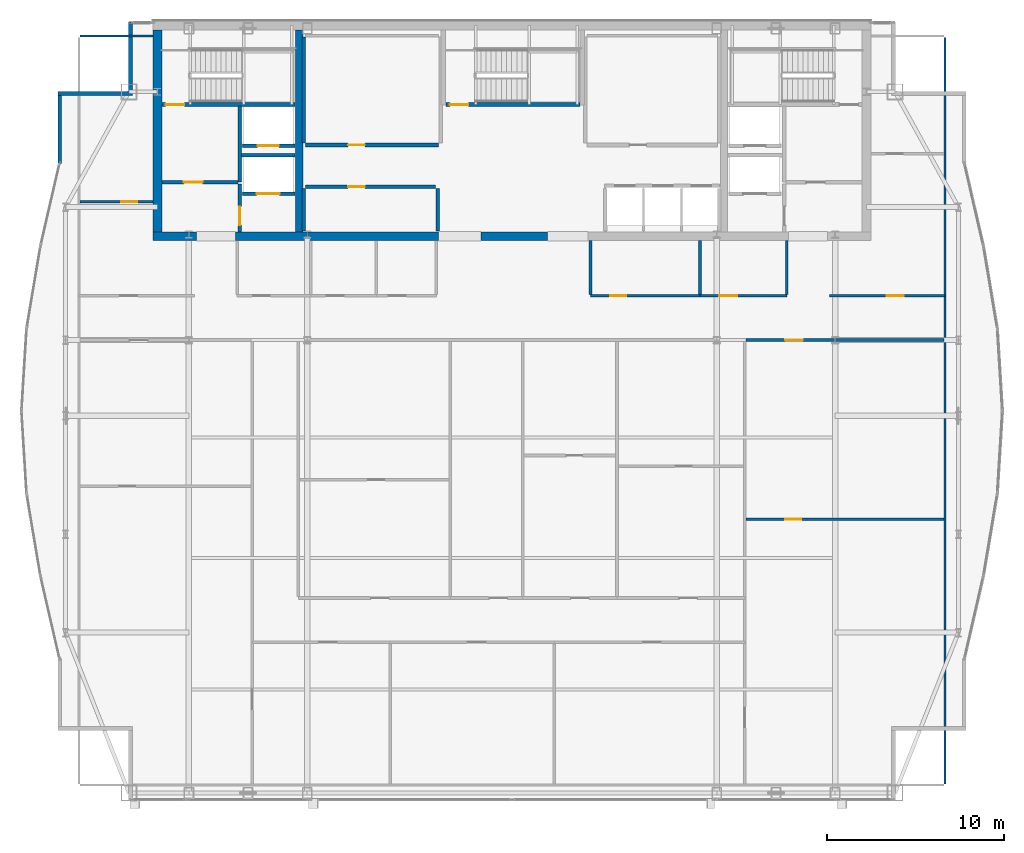
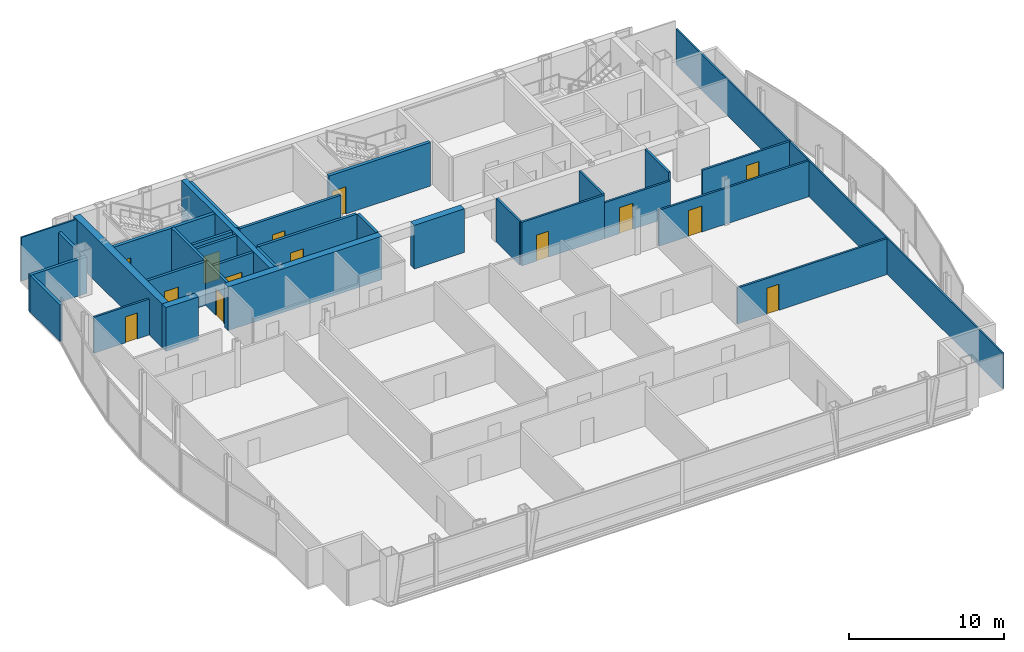
# One storey, part 25 of 29: 32 walls, 14 doors, 14 openings.
"""IFC4 building model written with IfcOpenShell, lengths in metres."""

from ifc_helpers import new_model, si_unit, direction, frame, frame_2d, origin, place, context, subcontext, project, spatial, rectangle, extrude, material, layer, layer_set, type_object, element, fill, save


model = new_model("IFC4")

# Units and contexts
model_context = context("Model", 3, precision=1e-05, world=origin(), true_north=direction((0.0, 1.0)))
body_context = subcontext(model_context, "Body", "Model", "MODEL_VIEW")
ifc_project = project(units=[si_unit("LENGTHUNIT", "METRE"), si_unit("AREAUNIT", "SQUARE_METRE"), si_unit("VOLUMEUNIT", "CUBIC_METRE"), si_unit("PLANEANGLEUNIT", "RADIAN"), si_unit("MASSUNIT", "GRAM", prefix="KILO")], contexts=[model_context])

# Site, building, storey
site_placement = place(None, origin())
site = spatial("IfcSite", under=ifc_project, at=site_placement, CompositionType="ELEMENT")
building_placement = place(site_placement, origin())
building = spatial("IfcBuilding", under=site, at=building_placement, Name="Khoronbel Lancet Exchange", CompositionType="ELEMENT")
storey_placement = place(building_placement, frame((0.0, 0.0, 321.800048828125)))
storey = spatial("IfcBuildingStorey", under=building, at=storey_placement, Name="L83", CompositionType="ELEMENT", Elevation=321.800048828125)

# Walls
ifc_material_1 = material(Name="Concrete C60/75", Category="concrete")
ifc_layer_1 = layer(ifc_material_1, 0.5, Name="Concrete C60/75")
ifc_layer_set_1 = layer_set([ifc_layer_1], Name="Concrete C60/75")
wall_type_1 = type_object("IfcWallType", Name="WL-CW4", PredefinedType="SHEAR", material=ifc_layer_set_1)
wall_1_placement = place(storey_placement, frame((16.449951171875, 41.800048828125, 0.0), z_axis=(0.0, 0.0, 1.0), x_axis=(0.0, 1.0, 0.0)))
element("IfcWall", 1, at=wall_1_placement, inside=storey, type_object=wall_type_1, Name="Level L83 rear core west shear wall", PredefinedType="SHEAR", context=body_context, shape_type="SweptSolid", body=[
    extrude(rectangle(XDim=11.39990234375, YDim=0.5, at=frame_2d((5.699951171875, 0.0))), origin(), (0.0, 0.0, 1.0), 3.43994140625),
])
wall_2_placement = place(storey_placement, frame((18.64990234375, 41.550048828125, 0.0), z_axis=(0.0, 0.0, 1.0), x_axis=(-1.0, 0.0, 0.0)))
element("IfcWall", 2, at=wall_2_placement, inside=storey, type_object=wall_type_1, Name="Level L83 rear core south shear wall pier P1", PredefinedType="SHEAR", context=body_context, shape_type="SweptSolid", body=[
    extrude(rectangle(XDim=2.449951171875, YDim=0.5, at=frame_2d((1.22509765625, 0.0))), origin(), (0.0, 0.0, 1.0), 3.43994140625),
])
wall_3_placement = place(storey_placement, frame((32.300048828125, 41.550048828125, 0.0), z_axis=(0.0, 0.0, 1.0), x_axis=(-1.0, 0.0, 0.0)))
element("IfcWall", 3, at=wall_3_placement, inside=storey, type_object=wall_type_1, Name="Level L83 rear core south shear wall pier P2", PredefinedType="SHEAR", context=body_context, shape_type="SweptSolid", body=[
    extrude(rectangle(XDim=11.449951171875, YDim=0.5, at=frame_2d((5.72509765625, 0.0))), origin(), (0.0, 0.0, 1.0), 3.43994140625),
])
wall_4_placement = place(storey_placement, frame((38.449951171875, 41.550048828125, 0.0), z_axis=(0.0, 0.0, 1.0), x_axis=(-1.0, 0.0, 0.0)))
element("IfcWall", 4, at=wall_4_placement, inside=storey, type_object=wall_type_1, Name="Level L83 rear core south shear wall pier P3", PredefinedType="SHEAR", context=body_context, shape_type="SweptSolid", body=[
    extrude(rectangle(XDim=3.75, YDim=0.5, at=frame_2d((1.875, 0.0))), origin(), (0.0, 0.0, 1.0), 3.43994140625),
])
ifc_material_2 = material(Name="Precast concrete C40/50", Category="concrete")
ifc_layer_2 = layer(ifc_material_2, 0.25, Name="Precast concrete C40/50")
ifc_layer_set_2 = layer_set([ifc_layer_2], Name="Precast concrete C40/50")
wall_type_2 = type_object("IfcWallType", Name="WL-EXT250", PredefinedType="SOLIDWALL", material=ifc_layer_set_2)
wall_5_placement = place(storey_placement, frame((10.93994140625, 45.669921875, 0.0), z_axis=(0.0, 0.0, 1.0), x_axis=(0.0, 1.0, 0.0)))
element("IfcWall", 5, at=wall_5_placement, inside=storey, type_object=wall_type_2, Name="Level L83 notched-corner limestone pier 10", PredefinedType="SOLIDWALL", context=body_context, shape_type="SweptSolid", body=[
    extrude(rectangle(XDim=3.830078125, YDim=0.219970703125, at=frame_2d((1.9150390625, 0.0))), origin(), (0.0, 0.0, 1.0), 2.8798828125),
])
wall_6_placement = place(storey_placement, frame((10.830078125, 49.610107421875, 0.0), z_axis=(0.0, 0.0, 1.0), x_axis=(1.0, 0.0, 0.0)))
element("IfcWall", 6, at=wall_6_placement, inside=storey, type_object=wall_type_2, Name="Level L83 notched-corner limestone pier 11", PredefinedType="SOLIDWALL", context=body_context, shape_type="SweptSolid", body=[
    extrude(rectangle(XDim=4.219970703125, YDim=0.219970703125, at=frame_2d((2.10986328125, 0.0))), origin(), (0.0, 0.0, 1.0), 2.8798828125),
])
wall_7_placement = place(storey_placement, frame((14.93994140625, 49.719970703125, 0.0), z_axis=(0.0, 0.0, 1.0), x_axis=(0.0, 1.0, 0.0)))
element("IfcWall", 7, at=wall_7_placement, inside=storey, type_object=wall_type_2, Name="Level L83 notched-corner limestone pier 12", PredefinedType="SOLIDWALL", context=body_context, shape_type="SweptSolid", body=[
    extrude(rectangle(XDim=3.909912109375, YDim=0.219970703125, at=frame_2d((1.955078125, 0.0))), origin(), (0.0, 0.0, 1.0), 2.8798828125),
])
ifc_material_3 = material(Name="Acoustic Metal-Stud & Mineral-Wool Gypsum Partition 120 mm", Category="gypsum")
ifc_layer_3 = layer(ifc_material_3, 0.1201171875, Name="Acoustic Metal-Stud & Mineral-Wool Gypsum Partition 120 mm")
ifc_layer_set_3 = layer_set([ifc_layer_3], Name="Acoustic Metal-Stud & Mineral-Wool Gypsum Partition 120 mm")
wall_type_3 = type_object("IfcWallType", Name="WL-PRT120", PredefinedType="PARTITIONING", material=ifc_layer_set_3)
for number, where, z_axis, x_axis, name in (
    (8, (40.8798828125, 38.280029296875, 0.0), (0.0, 0.0, 1.0), (0.0, 1.0, 0.0), "Level L83 interior partition PW-NP-0"),
    (9, (47.050048828125, 38.280029296875, 0.0), (0.0, 0.0, 1.0), (0.0, 1.0, 0.0), "Level L83 interior partition PW-NP-M"),
    (10, (51.949951171875, 38.280029296875, 0.0), (0.0, 0.0, 1.0), (0.0, 1.0, 0.0), "Level L83 interior partition PW-NP-1"),
):
    element("IfcWall", number, at=place(storey_placement, frame(where, z_axis=z_axis, x_axis=x_axis)), inside=storey, type_object=wall_type_3, Name=name, PredefinedType="PARTITIONING", context=body_context, shape_type="SweptSolid", body=[
        extrude(rectangle(XDim=3.02001953125, YDim=0.14990234375, at=frame_2d((1.510009765625, 0.0))), origin(), (0.0, 0.0, 1.0), 3.43994140625),
    ])

# Wall, opening, door
wall_8_placement = place(storey_placement, frame((12.094970703125, 43.5, 0.0), z_axis=(0.0, 0.0, 1.0), x_axis=(1.0, 0.0, 0.0)))
wall_8 = element("IfcWall", 11, at=wall_8_placement, inside=storey, type_object=wall_type_3, Name="Level L83 interior partition PW-NW-H", PredefinedType="PARTITIONING", context=body_context, shape_type="SweptSolid", body=[
    extrude(rectangle(XDim=4.10498046875, YDim=0.14990234375, at=frame_2d((2.052490234375, 0.0))), origin(), (0.0, 0.0, 1.0), 2.829833984375),
])
opening_1_placement = place(wall_8_placement, frame((2.320068359375, 0.0, 0.0)))
opening_1 = element("IfcOpeningElement", 12, at=opening_1_placement, cuts=wall_8, Name="Opening D5", PredefinedType="OPENING", context=body_context, shape_type="SweptSolid", body=[
    extrude(rectangle(XDim=0.89990234375, YDim=2.050048828125, at=frame_2d((0.449951171875, 1.02490234375))), frame((0.0, 0.0849609375, 0.0), z_axis=(0.0, -1.0, 0.0), x_axis=(1.0, 0.0, 0.0)), (0.0, 0.0, 1.0), 0.169921875),
])
ifc_material_4 = material(Name="Acoustic Timber Pantry & Support Door", Category="wood")
door_type_1 = type_object("IfcDoorType", Name="DR-D5", OperationType="NOTDEFINED", PredefinedType="DOOR", material=ifc_material_4)
door_1_placement = place(opening_1_placement, origin())
door_1 = element("IfcDoor", 13, at=door_1_placement, inside=storey, type_object=door_type_1, Name="NW north room door L83-1", OperationType="SINGLE_SWING_LEFT", OverallHeight=2.050048828125, OverallWidth=0.89990234375, PredefinedType="DOOR", context=body_context, shape_type="SweptSolid", body=[
    extrude(rectangle(XDim=0.89990234375, YDim=2.050048828125, at=frame_2d((0.449951171875, 1.02490234375))), frame((0.0, 0.02490234375, 0.0), z_axis=(0.0, -1.0, 0.0), x_axis=(1.0, 0.0, 0.0)), (0.0, 0.0, 1.0), 0.050048828125),
])
fill(opening_1, door_1)

wall_9_placement = place(storey_placement, frame((49.659912109375, 25.60009765625, 0.0), z_axis=(0.0, 0.0, 1.0), x_axis=(1.0, 0.0, 0.0)))
wall_9 = element("IfcWall", 14, at=wall_9_placement, inside=storey, type_object=wall_type_3, Name="Level L83 interior partition PW-Z4-EH", PredefinedType="PARTITIONING", context=body_context, shape_type="SweptSolid", body=[
    extrude(rectangle(XDim=11.14501953125, YDim=0.14990234375, at=frame_2d((5.572509765625, 0.0))), origin(), (0.0, 0.0, 1.0), 2.829833984375),
])
opening_2_placement = place(wall_9_placement, frame((2.199951171875, 0.0, 0.0)))
opening_2 = element("IfcOpeningElement", 15, at=opening_2_placement, cuts=wall_9, Name="Opening D5", PredefinedType="OPENING", context=body_context, shape_type="SweptSolid", body=[
    extrude(rectangle(XDim=0.89990234375, YDim=2.050048828125, at=frame_2d((0.449951171875, 1.02490234375))), frame((0.0, 0.0849609375, 0.0), z_axis=(0.0, -1.0, 0.0), x_axis=(1.0, 0.0, 0.0)), (0.0, 0.0, 1.0), 0.169921875),
])
door_2_placement = place(opening_2_placement, origin())
door_2 = element("IfcDoor", 16, at=door_2_placement, inside=storey, type_object=door_type_1, Name="East lens inner door L83-1", OperationType="SINGLE_SWING_RIGHT", OverallHeight=2.050048828125, OverallWidth=0.89990234375, PredefinedType="DOOR", context=body_context, shape_type="SweptSolid", body=[
    extrude(rectangle(XDim=0.89990234375, YDim=2.050048828125, at=frame_2d((0.449951171875, 1.02490234375))), frame((0.0, 0.02490234375, 0.0), z_axis=(0.0, -1.0, 0.0), x_axis=(1.0, 0.0, 0.0)), (0.0, 0.0, 1.0), 0.050048828125),
])
fill(opening_2, door_2)

# Walls
wall_10_placement = place(storey_placement, frame((60.8701171875, 10.6650390625, 0.0), z_axis=(0.0, 0.0, 1.0), x_axis=(0.0, 1.0, 0.0)))
element("IfcWall", 17, at=wall_10_placement, inside=storey, type_object=wall_type_3, Name="Level L83 interior partition PW-LIN-E", PredefinedType="PARTITIONING", context=body_context, shape_type="SweptSolid", body=[
    extrude(rectangle(XDim=42.10986328125, YDim=0.1201171875, at=frame_2d((21.054931640625, 0.0))), origin(), (0.0, 0.0, 1.0), 2.829833984375),
])
wall_11_placement = place(storey_placement, frame((12.094970703125, 52.840087890625, 0.0), z_axis=(0.0, 0.0, 1.0), x_axis=(1.0, 0.0, 0.0)))
element("IfcWall", 18, at=wall_11_placement, inside=storey, type_object=wall_type_3, Name="Level L83 interior partition PW-LIN-NW", PredefinedType="PARTITIONING", context=body_context, shape_type="SweptSolid", body=[
    extrude(rectangle(XDim=4.10498046875, YDim=0.1201171875, at=frame_2d((2.052490234375, 0.0))), origin(), (0.0, 0.0, 1.0), 3.43994140625),
])

# Wall, opening, door
ifc_material_5 = material(Name="Fire-Rated Twin-Stud Acoustic Gypsum Partition 150 mm", Category="gypsum")
ifc_layer_4 = layer(ifc_material_5, 0.14990234375, Name="Fire-Rated Twin-Stud Acoustic Gypsum Partition 150 mm")
ifc_layer_set_4 = layer_set([ifc_layer_4], Name="Fire-Rated Twin-Stud Acoustic Gypsum Partition 150 mm")
wall_type_4 = type_object("IfcWallType", Name="WL-PRT150C", PredefinedType="PARTITIONING", material=ifc_layer_set_4)
wall_12_placement = place(storey_placement, frame((40.8798828125, 38.199951171875, 0.0), z_axis=(0.0, 0.0, 1.0), x_axis=(1.0, 0.0, 0.0)))
wall_12 = element("IfcWall", 19, at=wall_12_placement, inside=storey, type_object=wall_type_4, Name="Level L83 interior partition PW-NP-S1", PredefinedType="PARTITIONING", context=body_context, shape_type="SweptSolid", body=[
    extrude(rectangle(XDim=6.170166015625, YDim=0.14990234375, at=frame_2d((3.0849609375, 0.0))), origin(), (0.0, 0.0, 1.0), 3.43994140625),
])
opening_3_placement = place(wall_12_placement, frame((1.10009765625, 0.0, 0.0)))
opening_3 = element("IfcOpeningElement", 20, at=opening_3_placement, cuts=wall_12, Name="Opening D5", PredefinedType="OPENING", context=body_context, shape_type="SweptSolid", body=[
    extrude(rectangle(XDim=0.89990234375, YDim=2.050048828125, at=frame_2d((0.449951171875, 1.02490234375))), frame((0.0, 0.0849609375, 0.0), z_axis=(0.0, -1.0, 0.0), x_axis=(1.0, 0.0, 0.0)), (0.0, 0.0, 1.0), 0.169921875),
])
door_3_placement = place(opening_3_placement, origin())
door_3 = element("IfcDoor", 21, at=door_3_placement, inside=storey, type_object=door_type_1, Name="Floor refreshment pantry door L83-1", OperationType="SINGLE_SWING_LEFT", OverallHeight=2.050048828125, OverallWidth=0.89990234375, PredefinedType="DOOR", context=body_context, shape_type="SweptSolid", body=[
    extrude(rectangle(XDim=0.89990234375, YDim=2.050048828125, at=frame_2d((0.449951171875, 1.02490234375))), frame((0.0, 0.02490234375, 0.0), z_axis=(0.0, -1.0, 0.0), x_axis=(1.0, 0.0, 0.0)), (0.0, 0.0, 1.0), 0.050048828125),
])
fill(opening_3, door_3)

wall_13_placement = place(storey_placement, frame((47.050048828125, 38.199951171875, 0.0), z_axis=(0.0, 0.0, 1.0), x_axis=(1.0, 0.0, 0.0)))
wall_13 = element("IfcWall", 22, at=wall_13_placement, inside=storey, type_object=wall_type_4, Name="Level L83 interior partition PW-NP-S2", PredefinedType="PARTITIONING", context=body_context, shape_type="SweptSolid", body=[
    extrude(rectangle(XDim=4.89990234375, YDim=0.14990234375, at=frame_2d((2.449951171875, 0.0))), origin(), (0.0, 0.0, 1.0), 2.829833984375),
])
opening_4_placement = place(wall_13_placement, frame((1.10009765625, 0.0, 0.0)))
opening_4 = element("IfcOpeningElement", 23, at=opening_4_placement, cuts=wall_13, Name="Opening D2", PredefinedType="OPENING", context=body_context, shape_type="SweptSolid", body=[
    extrude(rectangle(XDim=1.0, YDim=2.050048828125, at=frame_2d((0.5, 1.02490234375))), frame((0.0, 0.0849609375, 0.0), z_axis=(0.0, -1.0, 0.0), x_axis=(1.0, 0.0, 0.0)), (0.0, 0.0, 1.0), 0.169921875),
])
ifc_material_6 = material(Name="Acoustic Veneered Timber & Bronze Frame Door", Category="wood")
door_type_2 = type_object("IfcDoorType", Name="DR-D2", OperationType="NOTDEFINED", PredefinedType="DOOR", material=ifc_material_6)
door_4_placement = place(opening_4_placement, origin())
door_4 = element("IfcDoor", 24, at=door_4_placement, inside=storey, type_object=door_type_2, Name="Floor store door L83-1", OperationType="SINGLE_SWING_RIGHT", OverallHeight=2.050048828125, OverallWidth=1.0, PredefinedType="DOOR", context=body_context, shape_type="SweptSolid", body=[
    extrude(rectangle(XDim=1.0, YDim=2.050048828125, at=frame_2d((0.5, 1.02490234375))), frame((0.0, 0.02490234375, 0.0), z_axis=(0.0, -1.0, 0.0), x_axis=(1.0, 0.0, 0.0)), (0.0, 0.0, 1.0), 0.050048828125),
])
fill(opening_4, door_4)

wall_14_placement = place(storey_placement, frame((54.35009765625, 38.199951171875, 0.0), z_axis=(0.0, 0.0, 1.0), x_axis=(1.0, 0.0, 0.0)))
wall_14 = element("IfcWall", 25, at=wall_14_placement, inside=storey, type_object=wall_type_4, Name="Level L83 interior partition PW-NE-S", PredefinedType="PARTITIONING", context=body_context, shape_type="SweptSolid", body=[
    extrude(rectangle(XDim=6.52001953125, YDim=0.14990234375, at=frame_2d((3.260009765625, 0.0))), origin(), (0.0, 0.0, 1.0), 2.829833984375),
])
opening_5_placement = place(wall_14_placement, frame((3.25, 0.0, 0.0)))
opening_5 = element("IfcOpeningElement", 26, at=opening_5_placement, cuts=wall_14, Name="Opening D1", PredefinedType="OPENING", context=body_context, shape_type="SweptSolid", body=[
    extrude(rectangle(XDim=0.949951171875, YDim=2.050048828125, at=frame_2d((0.47509765625, 1.02490234375))), frame((0.0, 0.0849609375, 0.0), z_axis=(0.0, -1.0, 0.0), x_axis=(1.0, 0.0, 0.0)), (0.0, 0.0, 1.0), 0.169921875),
])
door_type_3 = type_object("IfcDoorType", Name="DR-D1", OperationType="NOTDEFINED", PredefinedType="DOOR", material=ifc_material_6)
door_5_placement = place(opening_5_placement, origin())
door_5 = element("IfcDoor", 27, at=door_5_placement, inside=storey, type_object=door_type_3, Name="NE corner room door L83-1", OperationType="SINGLE_SWING_RIGHT", OverallHeight=2.050048828125, OverallWidth=0.949951171875, PredefinedType="DOOR", context=body_context, shape_type="SweptSolid", body=[
    extrude(rectangle(XDim=0.949951171875, YDim=2.050048828125, at=frame_2d((0.47509765625, 1.02490234375))), frame((0.0, 0.02490234375, 0.0), z_axis=(0.0, -1.0, 0.0), x_axis=(1.0, 0.0, 0.0)), (0.0, 0.0, 1.0), 0.050048828125),
])
fill(opening_5, door_5)

wall_15_placement = place(storey_placement, frame((49.659912109375, 35.699951171875, 0.0), z_axis=(0.0, 0.0, 1.0), x_axis=(1.0, 0.0, 0.0)))
wall_15 = element("IfcWall", 28, at=wall_15_placement, inside=storey, type_object=wall_type_4, Name="Level L83 interior partition PW-Z4-EN2", PredefinedType="PARTITIONING", context=body_context, shape_type="SweptSolid", body=[
    extrude(rectangle(XDim=11.14501953125, YDim=0.14990234375, at=frame_2d((5.572509765625, 0.0))), origin(), (0.0, 0.0, 1.0), 2.829833984375),
])
opening_6_placement = place(wall_15_placement, frame((2.199951171875, 0.0, 0.0)))
opening_6 = element("IfcOpeningElement", 29, at=opening_6_placement, cuts=wall_15, Name="Opening D2", PredefinedType="OPENING", context=body_context, shape_type="SweptSolid", body=[
    extrude(rectangle(XDim=1.0, YDim=2.050048828125, at=frame_2d((0.5, 1.02490234375))), frame((0.0, 0.0849609375, 0.0), z_axis=(0.0, -1.0, 0.0), x_axis=(1.0, 0.0, 0.0)), (0.0, 0.0, 1.0), 0.169921875),
])
door_6_placement = place(opening_6_placement, origin())
door_6 = element("IfcDoor", 30, at=door_6_placement, inside=storey, type_object=door_type_2, Name="East lens north door L83-1", OperationType="SINGLE_SWING_LEFT", OverallHeight=2.050048828125, OverallWidth=1.0, PredefinedType="DOOR", context=body_context, shape_type="SweptSolid", body=[
    extrude(rectangle(XDim=1.0, YDim=2.050048828125, at=frame_2d((0.5, 1.02490234375))), frame((0.0, 0.02490234375, 0.0), z_axis=(0.0, -1.0, 0.0), x_axis=(1.0, 0.0, 0.0)), (0.0, 0.0, 1.0), 0.050048828125),
])
fill(opening_6, door_6)

ifc_material_7 = material(Name="Autoclaved Aerated Concrete Blockwork 200 mm", Category="masonry")
ifc_layer_5 = layer(ifc_material_7, 0.199951171875, Name="Autoclaved Aerated Concrete Blockwork 200 mm")
ifc_layer_set_5 = layer_set([ifc_layer_5], Name="Autoclaved Aerated Concrete Blockwork 200 mm")
wall_type_5 = type_object("IfcWallType", Name="WL-PRT200", PredefinedType="PARTITIONING", material=ifc_layer_set_5)
wall_16_placement = place(storey_placement, frame((24.2099609375, 43.949951171875, 0.0), z_axis=(0.0, 0.0, 1.0), x_axis=(-1.0, 0.0, 0.0)))
wall_16 = element("IfcWall", 31, at=wall_16_placement, inside=storey, type_object=wall_type_5, Name="Level L83 elevator hoistway landing front wall SVLW", PredefinedType="PARTITIONING", context=body_context, shape_type="SweptSolid", body=[
    extrude(rectangle(XDim=2.969970703125, YDim=0.199951171875, at=frame_2d((1.48486328125, 0.0))), origin(), (0.0, 0.0, 1.0), 3.43994140625),
])
opening_7_placement = place(wall_16_placement, frame((0.860107421875, 0.0, 0.0)))
opening_7 = element("IfcOpeningElement", 32, at=opening_7_placement, cuts=wall_16, Name="Opening LD-SVL1", PredefinedType="OPENING", context=body_context, shape_type="SweptSolid", body=[
    extrude(rectangle(XDim=1.300048828125, YDim=2.179931640625, at=frame_2d((0.64990234375, 1.08984375))), frame((0.0, 0.10986328125, 0.0), z_axis=(0.0, -1.0, 0.0), x_axis=(1.0, 0.0, 0.0)), (0.0, 0.0, 1.0), 0.219970703125),
])
ifc_material_8 = material(Name="Heavy-Duty Bi-Parting Goods Lift Landing Door", Category="steel")
door_type_4 = type_object("IfcDoorType", Name="DR-LD-SVL", OperationType="NOTDEFINED", PredefinedType="DOOR", material=ifc_material_8)
door_7_placement = place(opening_7_placement, origin())
door_7 = element("IfcDoor", 33, at=door_7_placement, inside=storey, type_object=door_type_4, Name="Elevator landing sliding door LD-SVL1 L83", OperationType="SLIDING_TO_LEFT", OverallHeight=2.179931640625, OverallWidth=1.300048828125, PredefinedType="DOOR", context=body_context, shape_type="SweptSolid", body=[
    extrude(rectangle(XDim=1.300048828125, YDim=2.179931640625, at=frame_2d((0.64990234375, 1.08984375))), frame((0.0, 0.02490234375, 0.0), z_axis=(0.0, -1.0, 0.0), x_axis=(1.0, 0.0, 0.0)), (0.0, 0.0, 1.0), 0.050048828125),
])
fill(opening_7, door_7)

wall_17_placement = place(storey_placement, frame((24.2099609375, 46.64990234375, 0.0), z_axis=(0.0, 0.0, 1.0), x_axis=(-1.0, 0.0, 0.0)))
wall_17 = element("IfcWall", 34, at=wall_17_placement, inside=storey, type_object=wall_type_5, Name="Level L83 elevator hoistway landing front wall FFLW", PredefinedType="PARTITIONING", context=body_context, shape_type="SweptSolid", body=[
    extrude(rectangle(XDim=2.969970703125, YDim=0.199951171875, at=frame_2d((1.48486328125, 0.0))), origin(), (0.0, 0.0, 1.0), 3.43994140625),
])
opening_8_placement = place(wall_17_placement, frame((0.909912109375, 0.0, 0.0)))
opening_8 = element("IfcOpeningElement", 35, at=opening_8_placement, cuts=wall_17, Name="Opening LD-FFL1", PredefinedType="OPENING", context=body_context, shape_type="SweptSolid", body=[
    extrude(rectangle(XDim=1.199951171875, YDim=2.179931640625, at=frame_2d((0.60009765625, 1.08984375))), frame((0.0, 0.10986328125, 0.0), z_axis=(0.0, -1.0, 0.0), x_axis=(1.0, 0.0, 0.0)), (0.0, 0.0, 1.0), 0.219970703125),
])
ifc_material_9 = material(Name="Fire-Rated Stainless Bi-Parting Firefighting Lift Door", Category="steel")
door_type_5 = type_object("IfcDoorType", Name="DR-LD-FFL", OperationType="NOTDEFINED", PredefinedType="DOOR", material=ifc_material_9)
door_8_placement = place(opening_8_placement, origin())
door_8 = element("IfcDoor", 36, at=door_8_placement, inside=storey, type_object=door_type_5, Name="Elevator landing sliding door LD-FFL1 L83", OperationType="SLIDING_TO_LEFT", OverallHeight=2.179931640625, OverallWidth=1.199951171875, PredefinedType="DOOR", context=body_context, shape_type="SweptSolid", body=[
    extrude(rectangle(XDim=1.199951171875, YDim=2.179931640625, at=frame_2d((0.60009765625, 1.08984375))), frame((0.0, 0.02490234375, 0.0), z_axis=(0.0, -1.0, 0.0), x_axis=(1.0, 0.0, 0.0)), (0.0, 0.0, 1.0), 0.050048828125),
])
fill(opening_8, door_8)

# Wall
wall_18_placement = place(storey_placement, frame((21.10009765625, 44.60009765625, 0.0), z_axis=(0.0, 0.0, 1.0), x_axis=(0.0, 1.0, 0.0)))
element("IfcWall", 37, at=wall_18_placement, inside=storey, type_object=wall_type_5, Name="Level L83 interior partition CW-FFLW-E", PredefinedType="PARTITIONING", context=body_context, shape_type="SweptSolid", body=[
    extrude(rectangle(XDim=4.2998046875, YDim=0.199951171875, at=frame_2d((2.14990234375, 0.0))), origin(), (0.0, 0.0, 1.0), 3.43994140625),
])

# Wall, opening, door
wall_19_placement = place(storey_placement, frame((16.699951171875, 44.60009765625, 0.0), z_axis=(0.0, 0.0, 1.0), x_axis=(1.0, 0.0, 0.0)))
wall_19 = element("IfcWall", 38, at=wall_19_placement, inside=storey, type_object=wall_type_5, Name="Level L83 interior partition CW-FFLW-S", PredefinedType="PARTITIONING", context=body_context, shape_type="SweptSolid", body=[
    extrude(rectangle(XDim=4.300048828125, YDim=0.199951171875, at=frame_2d((2.14990234375, 0.0))), origin(), (0.0, 0.0, 1.0), 3.43994140625),
])
opening_9_placement = place(wall_19_placement, frame((1.25, 0.0, 0.0)))
opening_9 = element("IfcOpeningElement", 39, at=opening_9_placement, cuts=wall_19, Name="Opening FD1", PredefinedType="OPENING", context=body_context, shape_type="SweptSolid", body=[
    extrude(rectangle(XDim=1.050048828125, YDim=2.14990234375, at=frame_2d((0.52490234375, 1.074951171875))), frame((0.0, 0.10986328125, 0.0), z_axis=(0.0, -1.0, 0.0), x_axis=(1.0, 0.0, 0.0)), (0.0, 0.0, 1.0), 0.219970703125),
])
ifc_material_10 = material(Name="Fire-Rated Painted Steel Door Assembly", Category="steel")
door_type_6 = type_object("IfcDoorType", Name="DR-FD1", OperationType="NOTDEFINED", PredefinedType="DOOR", material=ifc_material_10)
door_9_placement = place(opening_9_placement, origin())
door_9 = element("IfcDoor", 40, at=door_9_placement, inside=storey, type_object=door_type_6, Name="West firefighting lobby FD90S door L83-1", OperationType="SINGLE_SWING_LEFT", OverallHeight=2.14990234375, OverallWidth=1.050048828125, PredefinedType="DOOR", context=body_context, shape_type="SweptSolid", body=[
    extrude(rectangle(XDim=1.050048828125, YDim=2.14990234375, at=frame_2d((0.52490234375, 1.074951171875))), frame((0.0, 0.02490234375, 0.0), z_axis=(0.0, -1.0, 0.0), x_axis=(1.0, 0.0, 0.0)), (0.0, 0.0, 1.0), 0.050048828125),
])
fill(opening_9, door_9)

# Wall
wall_20_placement = place(storey_placement, frame((21.199951171875, 46.1201171875, 0.0), z_axis=(0.0, 0.0, 1.0), x_axis=(1.0, 0.0, 0.0)))
element("IfcWall", 41, at=wall_20_placement, inside=storey, type_object=wall_type_5, Name="Level L83 interior partition CW-FFL1-S", PredefinedType="PARTITIONING", context=body_context, shape_type="SweptSolid", body=[
    extrude(rectangle(XDim=3.02001953125, YDim=0.199951171875, at=frame_2d((1.510009765625, 0.0))), origin(), (0.0, 0.0, 1.0), 3.43994140625),
])

# Wall, opening, door
wall_21_placement = place(storey_placement, frame((21.10009765625, 41.800048828125, 0.0), z_axis=(0.0, 0.0, 1.0), x_axis=(0.0, 1.0, 0.0)))
wall_21 = element("IfcWall", 42, at=wall_21_placement, inside=storey, type_object=wall_type_5, Name="Level L83 interior partition CW-SVLW-W", PredefinedType="PARTITIONING", context=body_context, shape_type="SweptSolid", body=[
    extrude(rectangle(XDim=2.695068359375, YDim=0.199951171875, at=frame_2d((1.34765625, 0.0))), origin(), (0.0, 0.0, 1.0), 3.43994140625),
])
opening_10_placement = place(wall_21_placement, frame((0.3798828125, 0.0, 0.0)))
opening_10 = element("IfcOpeningElement", 43, at=opening_10_placement, cuts=wall_21, Name="Opening FD1", PredefinedType="OPENING", context=body_context, shape_type="SweptSolid", body=[
    extrude(rectangle(XDim=1.050048828125, YDim=2.14990234375, at=frame_2d((0.52490234375, 1.074951171875))), frame((0.0, 0.10986328125, 0.0), z_axis=(0.0, -1.0, 0.0), x_axis=(1.0, 0.0, 0.0)), (0.0, 0.0, 1.0), 0.219970703125),
])
door_10_placement = place(opening_10_placement, origin())
door_10 = element("IfcDoor", 44, at=door_10_placement, inside=storey, type_object=door_type_6, Name="West service lift lobby door L83-1", OperationType="SINGLE_SWING_RIGHT", OverallHeight=2.14990234375, OverallWidth=1.050048828125, PredefinedType="DOOR", context=body_context, shape_type="SweptSolid", body=[
    extrude(rectangle(XDim=1.050048828125, YDim=2.14990234375, at=frame_2d((0.52490234375, 1.074951171875))), frame((0.0, 0.02490234375, 0.0), z_axis=(0.0, -1.0, 0.0), x_axis=(1.0, 0.0, 0.0)), (0.0, 0.0, 1.0), 0.050048828125),
])
fill(opening_10, door_10)

# Wall
wall_22_placement = place(storey_placement, frame((24.699951171875, 46.804931640625, 0.0), z_axis=(0.0, 0.0, 1.0), x_axis=(0.0, 1.0, 0.0)))
element("IfcWall", 45, at=wall_22_placement, inside=storey, type_object=wall_type_5, Name="Level L83 interior partition CW-PL-RW", PredefinedType="PARTITIONING", context=body_context, shape_type="SweptSolid", body=[
    extrude(rectangle(XDim=5.989990234375, YDim=0.199951171875, at=frame_2d((2.9951171875, 0.0))), origin(), (0.0, 0.0, 1.0), 3.43994140625),
])

# Wall, opening, door
wall_23_placement = place(storey_placement, frame((24.804931640625, 46.699951171875, 0.0), z_axis=(0.0, 0.0, 1.0), x_axis=(1.0, 0.0, 0.0)))
wall_23 = element("IfcWall", 46, at=wall_23_placement, inside=storey, type_object=wall_type_5, Name="Level L83 interior partition CW-PL-RF", PredefinedType="PARTITIONING", context=body_context, shape_type="SweptSolid", body=[
    extrude(rectangle(XDim=7.510009765625, YDim=0.199951171875, at=frame_2d((3.7548828125, 0.0))), origin(), (0.0, 0.0, 1.0), 3.43994140625),
])
opening_11_placement = place(wall_23_placement, frame((2.39990234375, 0.0, 0.0)))
opening_11 = element("IfcOpeningElement", 47, at=opening_11_placement, cuts=wall_23, Name="Opening FD3", PredefinedType="OPENING", context=body_context, shape_type="SweptSolid", body=[
    extrude(rectangle(XDim=0.949951171875, YDim=2.10009765625, at=frame_2d((0.47509765625, 1.050048828125))), frame((0.0, 0.10986328125, 0.0), z_axis=(0.0, -1.0, 0.0), x_axis=(1.0, 0.0, 0.0)), (0.0, 0.0, 1.0), 0.219970703125),
])
ifc_material_11 = material(Name="Fire-Rated Steel Plant & Riser Door Assembly", Category="steel")
door_type_7 = type_object("IfcDoorType", Name="DR-FD3", OperationType="NOTDEFINED", PredefinedType="DOOR", material=ifc_material_11)
door_11_placement = place(opening_11_placement, origin())
door_11 = element("IfcDoor", 48, at=door_11_placement, inside=storey, type_object=door_type_7, Name="Reclaimed PL room door L83-1", OperationType="SINGLE_SWING_LEFT", OverallHeight=2.10009765625, OverallWidth=0.949951171875, PredefinedType="DOOR", context=body_context, shape_type="SweptSolid", body=[
    extrude(rectangle(XDim=0.949951171875, YDim=2.10009765625, at=frame_2d((0.47509765625, 1.050048828125))), frame((0.0, 0.02490234375, 0.0), z_axis=(0.0, -1.0, 0.0), x_axis=(1.0, 0.0, 0.0)), (0.0, 0.0, 1.0), 0.050048828125),
])
fill(opening_11, door_11)

# Walls
for number, where, z_axis, x_axis, name in (
    (49, (24.699951171875, 41.85009765625, 0.0), (0.0, 0.0, 1.0), (0.0, 1.0, 0.0), "Level L83 interior partition CW-PM-RW"),
    (50, (32.25, 41.85009765625, 0.0), (0.0, 0.0, 1.0), (0.0, 1.0, 0.0), "Level L83 interior partition CW-PM-RE"),
):
    element("IfcWall", number, at=place(storey_placement, frame(where, z_axis=z_axis, x_axis=x_axis)), inside=storey, type_object=wall_type_5, Name=name, PredefinedType="PARTITIONING", context=body_context, shape_type="SweptSolid", body=[
        extrude(rectangle(XDim=2.39501953125, YDim=0.199951171875, at=frame_2d((1.197509765625, 0.0))), origin(), (0.0, 0.0, 1.0), 3.43994140625),
    ])

# Wall, opening, door
wall_24_placement = place(storey_placement, frame((24.804931640625, 44.35009765625, 0.0), z_axis=(0.0, 0.0, 1.0), x_axis=(1.0, 0.0, 0.0)))
wall_24 = element("IfcWall", 51, at=wall_24_placement, inside=storey, type_object=wall_type_5, Name="Level L83 interior partition CW-PM-RF", PredefinedType="PARTITIONING", context=body_context, shape_type="SweptSolid", body=[
    extrude(rectangle(XDim=7.340087890625, YDim=0.199951171875, at=frame_2d((3.669921875, 0.0))), origin(), (0.0, 0.0, 1.0), 3.43994140625),
])
opening_12_placement = place(wall_24_placement, frame((2.39990234375, 0.0, 0.0)))
opening_12 = element("IfcOpeningElement", 52, at=opening_12_placement, cuts=wall_24, Name="Opening FD3", PredefinedType="OPENING", context=body_context, shape_type="SweptSolid", body=[
    extrude(rectangle(XDim=0.949951171875, YDim=2.10009765625, at=frame_2d((0.47509765625, 1.050048828125))), frame((0.0, 0.10986328125, 0.0), z_axis=(0.0, -1.0, 0.0), x_axis=(1.0, 0.0, 0.0)), (0.0, 0.0, 1.0), 0.219970703125),
])
door_12_placement = place(opening_12_placement, origin())
door_12 = element("IfcDoor", 53, at=door_12_placement, inside=storey, type_object=door_type_7, Name="Reclaimed PM room door L83-1", OperationType="SINGLE_SWING_RIGHT", OverallHeight=2.10009765625, OverallWidth=0.949951171875, PredefinedType="DOOR", context=body_context, shape_type="SweptSolid", body=[
    extrude(rectangle(XDim=0.949951171875, YDim=2.10009765625, at=frame_2d((0.47509765625, 1.050048828125))), frame((0.0, 0.02490234375, 0.0), z_axis=(0.0, -1.0, 0.0), x_axis=(1.0, 0.0, 0.0)), (0.0, 0.0, 1.0), 0.050048828125),
])
fill(opening_12, door_12)

# Wall
ifc_layer_6 = layer(ifc_material_1, 0.39990234375, Name="Concrete C60/75")
ifc_layer_set_6 = layer_set([ifc_layer_6], Name="Concrete C60/75")
wall_type_6 = type_object("IfcWallType", Name="WL-SW2", PredefinedType="SHEAR", material=ifc_layer_set_6)
wall_25_placement = place(storey_placement, frame((24.449951171875, 41.800048828125, 0.0), z_axis=(0.0, 0.0, 1.0), x_axis=(0.0, 1.0, 0.0)))
element("IfcWall", 54, at=wall_25_placement, inside=storey, type_object=wall_type_6, Name="Level L83 rear core internal spine shear wall IW", PredefinedType="SHEAR", context=body_context, shape_type="SweptSolid", body=[
    extrude(rectangle(XDim=11.39990234375, YDim=0.39990234375, at=frame_2d((5.699951171875, 0.0))), origin(), (0.0, 0.0, 1.0), 3.43994140625),
])

# Wall, opening, door
ifc_layer_7 = layer(ifc_material_1, 0.260009765625, Name="Concrete C60/75")
ifc_layer_set_7 = layer_set([ifc_layer_7], Name="Concrete C60/75")
wall_type_7 = type_object("IfcWallType", Name="WL-SW3", PredefinedType="SHEAR", material=ifc_layer_set_7)
wall_26_placement = place(storey_placement, frame((16.699951171875, 48.97998046875, 0.0), z_axis=(0.0, 0.0, 1.0), x_axis=(1.0, 0.0, 0.0)))
wall_26 = element("IfcWall", 55, at=wall_26_placement, inside=storey, type_object=wall_type_7, Name="Level L83 west stairwell structural south wall", PredefinedType="SHEAR", context=body_context, shape_type="SweptSolid", body=[
    extrude(rectangle(XDim=7.52001953125, YDim=0.239990234375, at=frame_2d((3.760009765625, 0.0))), origin(), (0.0, 0.0, 1.0), 3.43994140625),
])
opening_13_placement = place(wall_26_placement, frame((0.219970703125, 0.0, 0.0)))
opening_13 = element("IfcOpeningElement", 56, at=opening_13_placement, cuts=wall_26, Name="Opening SD1", PredefinedType="OPENING", context=body_context, shape_type="SweptSolid", body=[
    extrude(rectangle(XDim=1.050048828125, YDim=2.14990234375, at=frame_2d((0.52490234375, 1.074951171875))), frame((0.0, 0.1298828125, 0.0), z_axis=(0.0, -1.0, 0.0), x_axis=(1.0, 0.0, 0.0)), (0.0, 0.0, 1.0), 0.260009765625),
])
ifc_material_12 = material(Name="Fire-Rated Steel Stairwell Door Assembly", Category="steel")
door_type_8 = type_object("IfcDoorType", Name="DR-SD1", OperationType="NOTDEFINED", PredefinedType="DOOR", material=ifc_material_12)
door_13_placement = place(opening_13_placement, origin())
door_13 = element("IfcDoor", 57, at=door_13_placement, inside=storey, type_object=door_type_8, Name="Protected exit stair ST1 door L83", OperationType="SINGLE_SWING_LEFT", OverallHeight=2.14990234375, OverallWidth=1.050048828125, PredefinedType="DOOR", context=body_context, shape_type="SweptSolid", body=[
    extrude(rectangle(XDim=1.050048828125, YDim=2.14990234375, at=frame_2d((0.52490234375, 1.074951171875))), frame((0.0, 0.02490234375, 0.0), z_axis=(0.0, -1.0, 0.0), x_axis=(1.0, 0.0, 0.0)), (0.0, 0.0, 1.0), 0.050048828125),
])
fill(opening_13, door_13)

wall_27_placement = place(storey_placement, frame((32.719970703125, 48.97998046875, 0.0), z_axis=(0.0, 0.0, 1.0), x_axis=(1.0, 0.0, 0.0)))
wall_27 = element("IfcWall", 58, at=wall_27_placement, inside=storey, type_object=wall_type_7, Name="Level L83 central stairwell structural south wall", PredefinedType="SHEAR", context=body_context, shape_type="SweptSolid", body=[
    extrude(rectangle(XDim=7.56005859375, YDim=0.239990234375, at=frame_2d((3.780029296875, 0.0))), origin(), (0.0, 0.0, 1.0), 3.43994140625),
])
opening_14_placement = place(wall_27_placement, frame((0.219970703125, 0.0, 0.0)))
opening_14 = element("IfcOpeningElement", 59, at=opening_14_placement, cuts=wall_27, Name="Opening SD1", PredefinedType="OPENING", context=body_context, shape_type="SweptSolid", body=[
    extrude(rectangle(XDim=1.050048828125, YDim=2.14990234375, at=frame_2d((0.52490234375, 1.074951171875))), frame((0.0, 0.1298828125, 0.0), z_axis=(0.0, -1.0, 0.0), x_axis=(1.0, 0.0, 0.0)), (0.0, 0.0, 1.0), 0.260009765625),
])
door_14_placement = place(opening_14_placement, origin())
door_14 = element("IfcDoor", 60, at=door_14_placement, inside=storey, type_object=door_type_8, Name="Protected exit stair ST3 door L83", OperationType="SINGLE_SWING_LEFT", OverallHeight=2.14990234375, OverallWidth=1.050048828125, PredefinedType="DOOR", context=body_context, shape_type="SweptSolid", body=[
    extrude(rectangle(XDim=1.050048828125, YDim=2.14990234375, at=frame_2d((0.52490234375, 1.074951171875))), frame((0.0, 0.02490234375, 0.0), z_axis=(0.0, -1.0, 0.0), x_axis=(1.0, 0.0, 0.0)), (0.0, 0.0, 1.0), 0.050048828125),
])
fill(opening_14, door_14)

save(model, "model.ifc")
